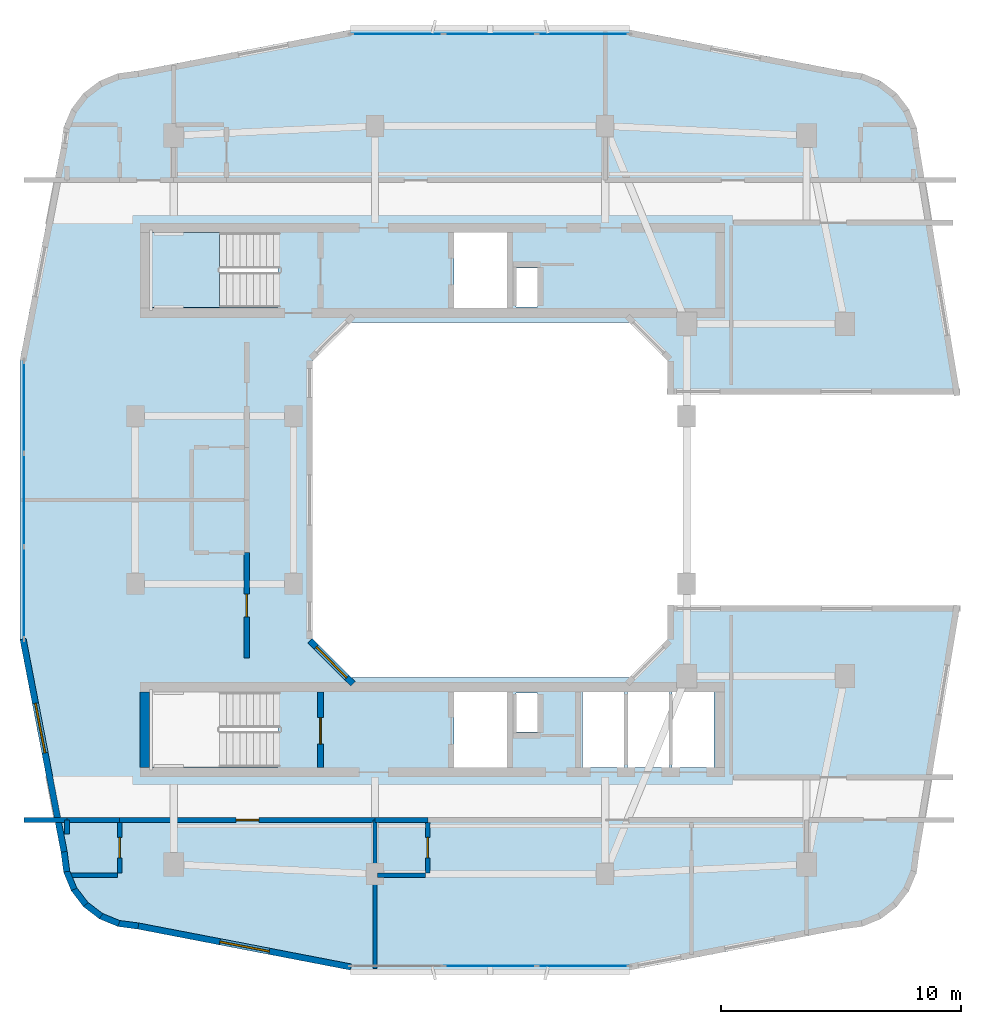
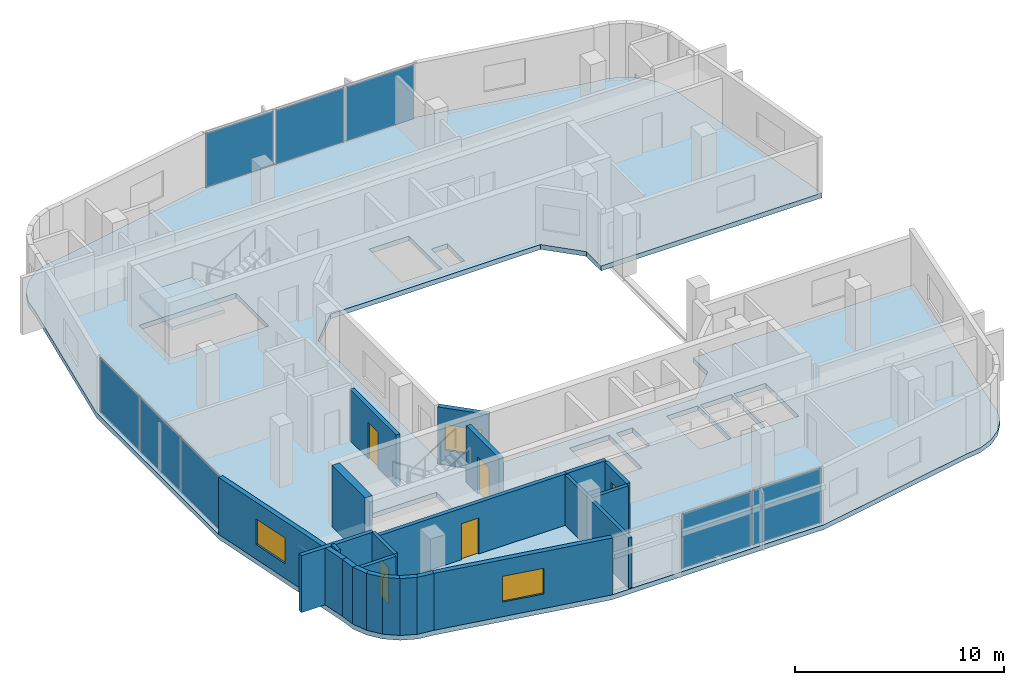
# One storey, part 4 of 12: 22 walls, 8 plates, 5 doors, 3 windows, 2 slabs, 8 openings, 4 elements without a shape of their own.
"""IFC4 building model written with IfcOpenShell, lengths in metres."""

from ifc_helpers import new_model, si_unit, derived_unit, direction, frame, frame_2d, origin, origin_2d, place, context, subcontext, project, spatial, polyline, rectangle, outline, extrude, material, layer, layer_set, type_object, element, fill, aggregate, save


model = new_model("IFC4")

# Units and contexts
model_context = context("Model", 3, precision=1e-05, world=origin(), true_north=direction((0.0, 1.0)))
body_context = subcontext(model_context, "Body", "Model", "MODEL_VIEW")
ifc_project = project(units=[si_unit("LENGTHUNIT", "METRE"), si_unit("AREAUNIT", "SQUARE_METRE"), si_unit("VOLUMEUNIT", "CUBIC_METRE"), si_unit("PLANEANGLEUNIT", "RADIAN"), si_unit("MASSUNIT", "GRAM", prefix="KILO"), derived_unit("THERMALTRANSMITTANCEUNIT", [(si_unit("POWERUNIT", "WATT"), 1), (si_unit("LENGTHUNIT", "METRE"), -2), (si_unit("THERMODYNAMICTEMPERATUREUNIT", "KELVIN"), -1)])], contexts=[model_context])

# Site, building, storey
site_placement = place(None, origin())
site = spatial("IfcSite", under=ifc_project, at=site_placement, CompositionType="ELEMENT")
building_placement = place(site_placement, origin())
building = spatial("IfcBuilding", under=site, at=building_placement, Name="Kivonza Crest Hotel", CompositionType="ELEMENT")
storey_placement = place(building_placement, frame((0.0, 0.0, 191.89990234375)))
storey = spatial("IfcBuildingStorey", under=building, at=storey_placement, Name="L52", CompositionType="ELEMENT", Elevation=191.89990234375)

# Curtain wall, plates
ifc_material_1 = material(Name="Anodised bronze aluminium and low-E double glazing", Category="aluminium")
ifc_layer_1 = layer(ifc_material_1, 0.179931640625)
ifc_layer_set_1 = layer_set([ifc_layer_1], Name="Anodised bronze aluminium and low-E double glazing")
curtain_wall_type = type_object("IfcCurtainWallType", Name="CW-SYS-3", PredefinedType="NOTDEFINED", material=ifc_layer_set_1)
curtain_wall_1_placement = place(storey_placement, origin())
curtain_wall_1 = element("IfcCurtainWall", 1, at=curtain_wall_1_placement, inside=storey, type_object=curtain_wall_type, Name="L52 unitised curtain wall CW-T1-L52-08", PredefinedType="NOTDEFINED")
ifc_material_2 = material(Name="Acoustic triple-laminated low-E glazing", Category="glass")
ifc_layer_2 = layer(ifc_material_2, 0.035888671875)
ifc_layer_set_2 = layer_set([ifc_layer_2], Name="Acoustic triple-laminated low-E glazing")
plate_type = type_object("IfcPlateType", Name="CW-PNL-36", PredefinedType="CURTAIN_PANEL", material=ifc_layer_set_2)
plate_1_placement = place(storey_placement, frame((21.0, 5.56005859375, 0.0751953125), z_axis=(0.0, 0.0, 1.0), x_axis=(1.0, 0.0, 0.0)))
plate_1 = element("IfcPlate", 2, at=plate_1_placement, type_object=plate_type, Name="CW-3 panel 2.1", PredefinedType="CURTAIN_PANEL", context=body_context, shape_type="SweptSolid", body=[
    extrude(rectangle(XDim=3.818359375, YDim=0.035888671875, at=origin_2d()), origin(), (0.0, 0.0, 1.0), 3.169921875),
])
plate_2_placement = place(storey_placement, frame((24.87451171875, 5.56005859375, 0.0751953125), z_axis=(0.0, 0.0, 1.0), x_axis=(1.0, 0.0, 0.0)))
plate_2 = element("IfcPlate", 3, at=plate_2_placement, type_object=plate_type, Name="CW-3 panel 3.1", PredefinedType="CURTAIN_PANEL", context=body_context, shape_type="SweptSolid", body=[
    extrude(rectangle(XDim=3.78076171875, YDim=0.035888671875, at=origin_2d()), origin(), (0.0, 0.0, 1.0), 3.169921875),
])
aggregate(curtain_wall_1, [plate_1, plate_2])

curtain_wall_2_placement = place(storey_placement, origin())
curtain_wall_2 = element("IfcCurtainWall", 4, at=curtain_wall_2_placement, inside=storey, type_object=curtain_wall_type, Name="L52 unitised curtain wall CW-T1-L52-36", PredefinedType="NOTDEFINED")
plate_3_placement = place(storey_placement, frame((24.87451171875, 44.43994140625, 0.0751953125), z_axis=(0.0, 0.0, 1.0), x_axis=(-1.0, 0.0, 0.0)))
plate_3 = element("IfcPlate", 5, at=plate_3_placement, type_object=plate_type, Name="CW-3 panel 1.1", PredefinedType="CURTAIN_PANEL", context=body_context, shape_type="SweptSolid", body=[
    extrude(rectangle(XDim=3.78076171875, YDim=0.035888671875, at=origin_2d()), origin(), (0.0, 0.0, 1.0), 3.169921875),
])
plate_4_placement = place(storey_placement, frame((21.0, 44.43994140625, 0.0751953125), z_axis=(0.0, 0.0, 1.0), x_axis=(-1.0, 0.0, 0.0)))
plate_4 = element("IfcPlate", 6, at=plate_4_placement, type_object=plate_type, Name="CW-3 panel 2.1", PredefinedType="CURTAIN_PANEL", context=body_context, shape_type="SweptSolid", body=[
    extrude(rectangle(XDim=3.818359375, YDim=0.035888671875, at=origin_2d()), origin(), (0.0, 0.0, 1.0), 3.169921875),
])
plate_5_placement = place(storey_placement, frame((17.12548828125, 44.43994140625, 0.0751953125), z_axis=(0.0, 0.0, 1.0), x_axis=(-1.0, 0.0, 0.0)))
plate_5 = element("IfcPlate", 7, at=plate_5_placement, type_object=plate_type, Name="CW-3 panel 3.1", PredefinedType="CURTAIN_PANEL", context=body_context, shape_type="SweptSolid", body=[
    extrude(rectangle(XDim=3.78076171875, YDim=0.035888671875, at=origin_2d()), origin(), (0.0, 0.0, 1.0), 3.169921875),
])
aggregate(curtain_wall_2, [plate_3, plate_4, plate_5])

curtain_wall_3_placement = place(storey_placement, origin())
curtain_wall_3 = element("IfcCurtainWall", 8, at=curtain_wall_3_placement, inside=storey, type_object=curtain_wall_type, Name="L52 unitised curtain wall CW-T1-L52-45", PredefinedType="NOTDEFINED")
plate_6_placement = place(storey_placement, frame((1.56005859375, 28.87451171875, 0.0751953125), z_axis=(0.0, 0.0, 1.0), x_axis=(0.0, -1.0, 0.0)))
plate_6 = element("IfcPlate", 9, at=plate_6_placement, type_object=plate_type, Name="CW-3 panel 1.1", PredefinedType="CURTAIN_PANEL", context=body_context, shape_type="SweptSolid", body=[
    extrude(rectangle(XDim=3.78076171875, YDim=0.035888671875, at=origin_2d()), origin(), (0.0, 0.0, 1.0), 3.169921875),
])
plate_7_placement = place(storey_placement, frame((1.56005859375, 25.0, 0.0751953125), z_axis=(0.0, 0.0, 1.0), x_axis=(0.0, -1.0, 0.0)))
plate_7 = element("IfcPlate", 10, at=plate_7_placement, type_object=plate_type, Name="CW-3 panel 2.1", PredefinedType="CURTAIN_PANEL", context=body_context, shape_type="SweptSolid", body=[
    extrude(rectangle(XDim=3.818359375, YDim=0.035888671875, at=origin_2d()), origin(), (0.0, 0.0, 1.0), 3.169921875),
])
plate_8_placement = place(storey_placement, frame((1.56005859375, 21.12548828125, 0.0751953125), z_axis=(0.0, 0.0, 1.0), x_axis=(0.0, -1.0, 0.0)))
plate_8 = element("IfcPlate", 11, at=plate_8_placement, type_object=plate_type, Name="CW-3 panel 3.1", PredefinedType="CURTAIN_PANEL", context=body_context, shape_type="SweptSolid", body=[
    extrude(rectangle(XDim=3.78076171875, YDim=0.035888671875, at=origin_2d()), origin(), (0.0, 0.0, 1.0), 3.169921875),
])
aggregate(curtain_wall_3, [plate_6, plate_7, plate_8])

# Slab
ifc_material_3 = material(Name="Concrete C40/50", Category="concrete")
ifc_layer_3 = layer(ifc_material_3, 0.280029296875)
ifc_layer_set_3 = layer_set([ifc_layer_3], Name="Concrete C40/50")
slab_type_1 = type_object("IfcSlabType", Name="SL-HTL-280", PredefinedType="FLOOR", material=ifc_layer_set_3)
slab_1_placement = place(storey_placement, frame((0.0, 0.0, -0.27978515625)))
element("IfcSlab", 12, at=slab_1_placement, inside=storey, type_object=slab_type_1, Name="Tower T1 L52 floor slab", PredefinedType="FLOOR", context=body_context, shape_type="SweptSolid", body=[
    extrude(outline(polyline([(3.10009765625, 10.300048828125), (3.208984375, 9.471923828125), (3.529052734375, 8.699951171875), (4.037109375, 8.037109375), (4.699951171875, 7.529052734375), (5.471923828125, 7.208984375), (6.300048828125, 7.10009765625), (15.1201171875, 5.39990234375), (26.8798828125, 5.39990234375), (35.699951171875, 7.10009765625), (36.528076171875, 7.208984375), (37.300048828125, 7.529052734375), (37.962890625, 8.037109375), (38.470947265625, 8.699951171875), (38.791015625, 9.471923828125), (38.89990234375, 10.300048828125), (40.60009765625, 20.60009765625), (28.39990234375, 20.60009765625), (28.39990234375, 19.199951171875), (26.800048828125, 17.60009765625), (15.199951171875, 17.60009765625), (13.60009765625, 19.199951171875), (13.60009765625, 30.800048828125), (15.199951171875, 32.39990234375), (26.800048828125, 32.39990234375), (28.39990234375, 30.800048828125), (28.39990234375, 29.39990234375), (40.60009765625, 29.39990234375), (38.89990234375, 39.699951171875), (38.791015625, 40.528076171875), (38.470947265625, 41.300048828125), (37.962890625, 41.962890625), (37.300048828125, 42.470947265625), (36.528076171875, 42.791015625), (35.699951171875, 42.89990234375), (26.8798828125, 44.60009765625), (15.1201171875, 44.60009765625), (6.300048828125, 42.89990234375), (5.471923828125, 42.791015625), (4.699951171875, 42.470947265625), (4.037109375, 41.962890625), (3.529052734375, 41.300048828125), (3.208984375, 40.528076171875), (3.10009765625, 39.699951171875), (1.39990234375, 30.8798828125), (1.39990234375, 19.1201171875), (3.10009765625, 10.300048828125)]), holes=[polyline([(6.800048828125, 33.02001953125), (12.159912109375, 33.02001953125), (12.159912109375, 36.159912109375), (6.800048828125, 36.159912109375), (6.800048828125, 33.02001953125)]), polyline([(6.800048828125, 13.860107421875), (12.159912109375, 13.860107421875), (12.159912109375, 17.0), (6.800048828125, 17.0), (6.800048828125, 13.860107421875)]), polyline([(22.080078125, 33.0400390625), (22.969970703125, 33.0400390625), (22.969970703125, 34.679931640625), (22.080078125, 34.679931640625), (22.080078125, 33.0400390625)]), polyline([(22.080078125, 15.320068359375), (22.969970703125, 15.320068359375), (22.969970703125, 16.9599609375), (22.080078125, 16.9599609375), (22.080078125, 15.320068359375)]), polyline([(19.5, 33.0), (21.699951171875, 33.0), (21.699951171875, 36.159912109375), (19.5, 36.159912109375), (19.5, 33.0)]), polyline([(19.5, 13.840087890625), (21.699951171875, 13.840087890625), (21.699951171875, 17.0), (19.5, 17.0), (19.5, 13.840087890625)]), polyline([(24.860107421875, 13.840087890625), (26.60693359375, 13.840087890625), (26.60693359375, 17.0), (24.860107421875, 17.0), (24.860107421875, 13.840087890625)]), polyline([(26.72705078125, 13.840087890625), (28.472900390625, 13.840087890625), (28.472900390625, 17.0), (26.72705078125, 17.0), (26.72705078125, 13.840087890625)]), polyline([(28.593017578125, 13.840087890625), (30.340087890625, 13.840087890625), (30.340087890625, 17.0), (28.593017578125, 17.0), (28.593017578125, 13.840087890625)])]), origin(), (0.0, 0.0, 1.0), 0.27978515625),
])

# Stair, slab
stair_type = type_object("IfcStairType", Name="ST-DL-20R", PredefinedType="HALF_TURN_STAIR", material=ifc_material_3)
stair_placement = place(storey_placement, origin())
stair = element("IfcStair", 13, at=stair_placement, inside=storey, type_object=stair_type, Name="L52 Protected Exit Stair ST-T1-N", PredefinedType="HALF_TURN_STAIR")
ifc_layer_4 = layer(ifc_material_3, 0.199951171875)
ifc_layer_set_4 = layer_set([ifc_layer_4], Name="Concrete C40/50")
slab_type_2 = type_object("IfcSlabType", Name="SL-LAND-200", PredefinedType="LANDING", material=ifc_layer_set_4)
slab_2_placement = place(storey_placement, frame((0.0, 0.0, 1.60009765625)))
slab_2 = element("IfcSlab", 14, at=slab_2_placement, type_object=slab_type_2, Name="ST-T1-N landing 1", PredefinedType="LANDING", context=body_context, shape_type="SweptSolid", body=[
    extrude(outline(polyline([(9.719970703125, 36.159912109375), (6.800048828125, 36.159912109375), (6.800048828125, 33.02001953125), (9.719970703125, 33.02001953125), (9.719970703125, 36.159912109375)])), origin(), (0.0, 0.0, 1.0), 0.199951171875),
])
aggregate(stair, [slab_2])

# Walls
ifc_material_4 = material(Name="High-density acoustic masonry inter-tenancy wall", Category="masonry")
ifc_layer_5 = layer(ifc_material_4, 0.179931640625)
ifc_layer_set_5 = layer_set([ifc_layer_5], Name="High-density acoustic masonry inter-tenancy wall")
wall_type_1 = type_object("IfcWallType", Name="WL-ACOU-180", PredefinedType="SOLIDWALL", material=ifc_layer_set_5)
wall_1_placement = place(storey_placement, frame((16.199951171875, 5.4599609375, 0.0), z_axis=(0.0, 0.0, 1.0), x_axis=(0.0, 1.0, 0.0)))
element("IfcWall", 15, at=wall_1_placement, inside=storey, type_object=wall_type_1, Name="L52 interior partition WA-L52-T1S-DIV1", PredefinedType="SOLIDWALL", context=body_context, shape_type="SweptSolid", body=[
    extrude(rectangle(XDim=6.18994140625, YDim=0.179931640625, at=frame_2d((3.094970703125, 0.0))), origin(), (0.0, 0.0, 1.0), 2.93505859375),
])
ifc_material_5 = material(Name="Autoclaved aerated concrete blockwork", Category="masonry")
ifc_layer_6 = layer(ifc_material_5, 0.219970703125)
ifc_layer_set_6 = layer_set([ifc_layer_6], Name="Autoclaved aerated concrete blockwork")
wall_type_2 = type_object("IfcWallType", Name="WL-ACOU-220", PredefinedType="SOLIDWALL", material=ifc_layer_set_6)
wall_2_placement = place(storey_placement, frame((1.56005859375, 11.64990234375, 0.0), z_axis=(0.0, 0.0, 1.0), x_axis=(1.0, 0.0, 0.0)))
element("IfcWall", 16, at=wall_2_placement, inside=storey, type_object=wall_type_2, Name="L52 interior partition WA-L52-S04-XCORR", PredefinedType="SOLIDWALL", context=body_context, shape_type="SweptSolid", body=[
    extrude(rectangle(XDim=1.7900390625, YDim=0.219970703125, at=frame_2d((0.89501953125, 0.0))), origin(), (0.0, 0.0, 1.0), 3.320068359375),
])
wall_3_placement = place(storey_placement, frame((3.35009765625, 11.64990234375, 0.0), z_axis=(0.0, 0.0, 1.0), x_axis=(1.0, 0.0, 0.0)))
element("IfcWall", 17, at=wall_3_placement, inside=storey, type_object=wall_type_2, Name="L52 interior partition WA-L52-S04-BCORR", PredefinedType="SOLIDWALL", context=body_context, shape_type="SweptSolid", body=[
    extrude(rectangle(XDim=2.199951171875, YDim=0.219970703125, at=frame_2d((1.10009765625, 0.0))), origin(), (0.0, 0.0, 1.0), 3.320068359375),
])

# Wall, opening, door
wall_4_placement = place(storey_placement, frame((5.550048828125, 11.64990234375, 0.0), z_axis=(0.0, 0.0, 1.0), x_axis=(1.0, 0.0, 0.0)))
wall_4 = element("IfcWall", 18, at=wall_4_placement, inside=storey, type_object=wall_type_2, Name="L52 interior partition WA-L52-S04-MCORR", PredefinedType="SOLIDWALL", context=body_context, shape_type="SweptSolid", body=[
    extrude(rectangle(XDim=10.64990234375, YDim=0.219970703125, at=frame_2d((5.324951171875, 0.0))), origin(), (0.0, 0.0, 1.0), 2.9951171875),
])
opening_1_placement = place(wall_4_placement, frame((4.85009765625, 0.0, 0.0)))
opening_1 = element("IfcOpeningElement", 19, at=opening_1_placement, cuts=wall_4, Name="Opening DU-60", PredefinedType="OPENING", context=body_context, shape_type="SweptSolid", body=[
    extrude(rectangle(XDim=0.949951171875, YDim=2.10009765625, at=frame_2d((0.47509765625, 1.050048828125))), frame((0.0, 0.1201171875, 0.0), z_axis=(0.0, -1.0, 0.0), x_axis=(1.0, 0.0, 0.0)), (0.0, 0.0, 1.0), 0.239990234375),
])
ifc_material_6 = material(Name="Hardwood timber oak", Category="wood")
door_type_1 = type_object("IfcDoorType", Name="DR-UNIT-950", OperationType="NOTDEFINED", PredefinedType="DOOR", material=ifc_material_6)
door_1_placement = place(opening_1_placement, frame((0.949951171875, 0.0, 0.0), z_axis=(0.0, 0.0, 1.0), x_axis=(-1.0, 0.0, 0.0)))
door_1 = element("IfcDoor", 20, at=door_1_placement, inside=storey, type_object=door_type_1, Name="L52 S04 guest unit entrance fire door", OperationType="SINGLE_SWING_RIGHT", OverallHeight=2.10009765625, OverallWidth=0.949951171875, PredefinedType="DOOR", context=body_context, shape_type="SweptSolid", body=[
    extrude(rectangle(XDim=0.949951171875, YDim=2.10009765625, at=frame_2d((0.47509765625, 1.050048828125))), frame((0.0, 0.02490234375, 0.0), z_axis=(0.0, -1.0, 0.0), x_axis=(1.0, 0.0, 0.0)), (0.0, 0.0, 1.0), 0.050048828125),
])
fill(opening_1, door_1)

# Wall
wall_5_placement = place(storey_placement, frame((16.199951171875, 11.64990234375, 0.0), z_axis=(0.0, 0.0, 1.0), x_axis=(1.0, 0.0, 0.0)))
element("IfcWall", 21, at=wall_5_placement, inside=storey, type_object=wall_type_2, Name="L52 interior partition WA-L52-S05-BCORR", PredefinedType="SOLIDWALL", context=body_context, shape_type="SweptSolid", body=[
    extrude(rectangle(XDim=2.199951171875, YDim=0.219970703125, at=frame_2d((1.10009765625, 0.0))), origin(), (0.0, 0.0, 1.0), 2.9951171875),
])

# Wall, opening, door
wall_6_placement = place(storey_placement, frame((10.85009765625, 18.39990234375, 0.0), z_axis=(0.0, 0.0, 1.0), x_axis=(0.0, 1.0, 0.0)))
wall_6 = element("IfcWall", 22, at=wall_6_placement, inside=storey, type_object=wall_type_2, Name="L52 interior partition WA-L52-W06-MCORR", PredefinedType="SOLIDWALL", context=body_context, shape_type="SweptSolid", body=[
    extrude(rectangle(XDim=4.400146484375, YDim=0.219970703125, at=frame_2d((2.2001953125, 0.0))), origin(), (0.0, 0.0, 1.0), 2.9951171875),
])
opening_2_placement = place(wall_6_placement, frame((1.72509765625, 0.0, 0.0)))
opening_2 = element("IfcOpeningElement", 23, at=opening_2_placement, cuts=wall_6, Name="Opening DU-60", PredefinedType="OPENING", context=body_context, shape_type="SweptSolid", body=[
    extrude(rectangle(XDim=0.949951171875, YDim=2.10009765625, at=frame_2d((0.47509765625, 1.050048828125))), frame((0.0, 0.1201171875, 0.0), z_axis=(0.0, -1.0, 0.0), x_axis=(1.0, 0.0, 0.0)), (0.0, 0.0, 1.0), 0.239990234375),
])
door_2_placement = place(opening_2_placement, origin())
door_2 = element("IfcDoor", 24, at=door_2_placement, inside=storey, type_object=door_type_1, Name="L52 W06 guest unit entrance fire door", OperationType="SINGLE_SWING_RIGHT", OverallHeight=2.10009765625, OverallWidth=0.949951171875, PredefinedType="DOOR", context=body_context, shape_type="SweptSolid", body=[
    extrude(rectangle(XDim=0.949951171875, YDim=2.10009765625, at=frame_2d((0.47509765625, 1.050048828125))), frame((0.0, 0.02490234375, 0.0), z_axis=(0.0, -1.0, 0.0), x_axis=(1.0, 0.0, 0.0)), (0.0, 0.0, 1.0), 0.050048828125),
])
fill(opening_2, door_2)

# Walls
ifc_material_7 = material(Name="Concrete C50/60", Category="concrete")
ifc_layer_7 = layer(ifc_material_7, 0.39990234375)
ifc_layer_set_7 = layer_set([ifc_layer_7], Name="Concrete C50/60")
wall_type_3 = type_object("IfcWallType", Name="WL-CORE-400", PredefinedType="SHEAR", material=ifc_layer_set_7)
wall_7_placement = place(storey_placement, frame((6.60009765625, 13.840087890625, 0.0), z_axis=(0.0, 0.0, 1.0), x_axis=(0.0, 1.0, 0.0)))
element("IfcWall", 25, at=wall_7_placement, inside=storey, type_object=wall_type_3, Name="Core wall T1-S West L52", PredefinedType="SHEAR", context=body_context, shape_type="SweptSolid", body=[
    extrude(rectangle(XDim=3.159912109375, YDim=0.39990234375, at=frame_2d((1.580078125, 0.0))), origin(), (0.0, 0.0, 1.0), 3.60009765625),
])
ifc_material_8 = material(Name="Precast concrete C40/50", Category="concrete")
ifc_layer_8 = layer(ifc_material_8, 0.260009765625)
ifc_layer_set_8 = layer_set([ifc_layer_8], Name="Precast concrete C40/50")
wall_type_4 = type_object("IfcWallType", Name="WL-EXT-260", PredefinedType="STANDARD", material=ifc_layer_set_8)
wall_8_placement = place(storey_placement, frame((3.22802734375, 10.324951171875, 0.0), z_axis=(0.0, 0.0, 1.0), x_axis=(0.130704676564, -0.99142134712, 0.0)))
element("IfcWall", 26, at=wall_8_placement, inside=storey, type_object=wall_type_4, Name="L52 T1 exterior insulated wall 1", PredefinedType="STANDARD", context=body_context, shape_type="SweptSolid", body=[
    extrude(rectangle(XDim=0.8330078125, YDim=0.260009765625, at=frame_2d((0.41650390625, 0.0))), origin(), (0.0, 0.0, 1.0), 3.320068359375),
])
wall_9_placement = place(storey_placement, frame((3.319091796875, 9.544921875, 0.0), z_axis=(0.0, 0.0, 1.0), x_axis=(0.383086687796, -0.923712395518, 0.0)))
element("IfcWall", 27, at=wall_9_placement, inside=storey, type_object=wall_type_4, Name="L52 T1 exterior insulated wall 2", PredefinedType="STANDARD", context=body_context, shape_type="SweptSolid", body=[
    extrude(rectangle(XDim=0.850830078125, YDim=0.260009765625, at=frame_2d((0.42529296875, 0.0))), origin(), (0.0, 0.0, 1.0), 3.320068359375),
])
for number, where, z_axis, x_axis, name in (
    (28, (3.616943359375, 8.799072265625, 0.0), (0.0, 0.0, 1.0), (0.608099977432, -0.793860452124, 0.0), "L52 T1 exterior insulated wall 3"),
    (29, (4.095947265625, 8.155029296875, 0.0), (0.0, 0.0, 1.0), (0.793860452124, -0.608099977432, 0.0), "L52 T1 exterior insulated wall 4"),
):
    element("IfcWall", number, at=place(storey_placement, frame(where, z_axis=z_axis, x_axis=x_axis)), inside=storey, type_object=wall_type_4, Name=name, PredefinedType="STANDARD", context=body_context, shape_type="SweptSolid", body=[
        extrude(rectangle(XDim=0.850341796875, YDim=0.260009765625, at=frame_2d((0.42529296875, 0.0))), origin(), (0.0, 0.0, 1.0), 3.320068359375),
    ])
wall_10_placement = place(storey_placement, frame((4.72705078125, 7.658935546875, 0.0), z_axis=(0.0, 0.0, 1.0), x_axis=(0.923712395518, -0.383086687796, 0.0)))
element("IfcWall", 30, at=wall_10_placement, inside=storey, type_object=wall_type_4, Name="L52 T1 exterior insulated wall 5", PredefinedType="STANDARD", context=body_context, shape_type="SweptSolid", body=[
    extrude(rectangle(XDim=0.850830078125, YDim=0.260009765625, at=frame_2d((0.42529296875, 0.0))), origin(), (0.0, 0.0, 1.0), 3.320068359375),
])
wall_11_placement = place(storey_placement, frame((5.464111328125, 7.341064453125, 0.0), z_axis=(0.0, 0.0, 1.0), x_axis=(0.991488716273, -0.130192647656, 0.0)))
element("IfcWall", 31, at=wall_11_placement, inside=storey, type_object=wall_type_4, Name="L52 T1 exterior insulated wall 6", PredefinedType="STANDARD", context=body_context, shape_type="SweptSolid", body=[
    extrude(rectangle(XDim=0.8681640625, YDim=0.260009765625, at=frame_2d((0.43408203125, 0.0))), origin(), (0.0, 0.0, 1.0), 3.320068359375),
])

# Wall, opening, window
wall_12_placement = place(storey_placement, frame((6.31689453125, 7.22998046875, 0.0), z_axis=(0.0, 0.0, 1.0), x_axis=(0.98192801022, -0.189254809039, 0.0)))
wall_12 = element("IfcWall", 32, at=wall_12_placement, inside=storey, type_object=wall_type_4, Name="L52 T1 exterior insulated wall 7", PredefinedType="STANDARD", context=body_context, shape_type="SweptSolid", body=[
    extrude(rectangle(XDim=9.045654296875, YDim=0.260009765625, at=frame_2d((4.52294921875, 0.0))), origin(), (0.0, 0.0, 1.0), 3.320068359375),
])
opening_3_placement = place(wall_12_placement, frame((3.472900390625, 0.0, 0.85009765625)))
opening_3 = element("IfcOpeningElement", 33, at=opening_3_placement, cuts=wall_12, Name="Opening WN-04", PredefinedType="OPENING", context=body_context, shape_type="SweptSolid", body=[
    extrude(rectangle(XDim=2.10009765625, YDim=1.5, at=frame_2d((1.050048828125, 0.75))), frame((0.0, 0.14013671875, 0.0), z_axis=(0.0, -1.0, 0.0), x_axis=(1.0, 0.0, 0.0)), (0.0, 0.0, 1.0), 0.280029296875),
])
ifc_material_9 = material(Name="Thermally broken bronze aluminium and low-E double glazing", Category="aluminium")
window_type_1 = type_object("IfcWindowType", Name="WN-210x150", PartitioningType="DOUBLE_PANEL_VERTICAL", PredefinedType="WINDOW", material=ifc_material_9)
window_1_placement = place(opening_3_placement, origin())
window_1 = element("IfcWindow", 34, at=window_1_placement, inside=storey, type_object=window_type_1, Name="L52 T1 facade window 7", OverallHeight=1.5, OverallWidth=2.10009765625, PartitioningType="SINGLE_PANEL", PredefinedType="WINDOW", context=body_context, shape_type="SweptSolid", body=[
    extrude(rectangle(XDim=2.10009765625, YDim=1.5, at=frame_2d((1.050048828125, 0.75))), frame((0.0, 0.030029296875, 0.0), z_axis=(0.0, -1.0, 0.0), x_axis=(1.0, 0.0, 0.0)), (0.0, 0.0, 1.0), 0.06005859375),
])
fill(opening_3, window_1)

wall_13_placement = place(storey_placement, frame((15.278076171875, 17.337890625, 0.0), z_axis=(0.0, 0.0, 1.0), x_axis=(-0.707106781187, 0.707106781187, 0.0)))
wall_13 = element("IfcWall", 35, at=wall_13_placement, inside=storey, type_object=wall_type_4, Name="L52 T1 exterior insulated wall 21", PredefinedType="STANDARD", context=body_context, shape_type="SweptSolid", body=[
    extrude(rectangle(XDim=2.52880859375, YDim=0.260009765625, at=frame_2d((1.264404296875, 0.0))), origin(), (0.0, 0.0, 1.0), 3.320068359375),
])
opening_4_placement = place(wall_13_placement, frame((0.364013671875, 0.0, 0.85009765625)))
opening_4 = element("IfcOpeningElement", 36, at=opening_4_placement, cuts=wall_13, Name="Opening WN-03", PredefinedType="OPENING", context=body_context, shape_type="SweptSolid", body=[
    extrude(rectangle(XDim=1.800048828125, YDim=1.5, at=frame_2d((0.89990234375, 0.75))), frame((0.0, 0.14013671875, 0.0), z_axis=(0.0, -1.0, 0.0), x_axis=(1.0, 0.0, 0.0)), (0.0, 0.0, 1.0), 0.280029296875),
])
window_type_2 = type_object("IfcWindowType", Name="WN-180x150", PartitioningType="DOUBLE_PANEL_VERTICAL", PredefinedType="WINDOW", material=ifc_material_9)
window_2_placement = place(opening_4_placement, origin())
window_2 = element("IfcWindow", 37, at=window_2_placement, inside=storey, type_object=window_type_2, Name="L52 T1 facade window 21", OverallHeight=1.5, OverallWidth=1.800048828125, PartitioningType="SINGLE_PANEL", PredefinedType="WINDOW", context=body_context, shape_type="SweptSolid", body=[
    extrude(rectangle(XDim=1.800048828125, YDim=1.5, at=frame_2d((0.89990234375, 0.75))), frame((0.0, 0.030029296875, 0.0), z_axis=(0.0, -1.0, 0.0), x_axis=(1.0, 0.0, 0.0)), (0.0, 0.0, 1.0), 0.06005859375),
])
fill(opening_4, window_2)

wall_14_placement = place(storey_placement, frame((1.51806640625, 19.198974609375, 0.0), z_axis=(0.0, 0.0, 1.0), x_axis=(0.189254809039, -0.98192801022, 0.0)))
wall_14 = element("IfcWall", 38, at=wall_14_placement, inside=storey, type_object=wall_type_4, Name="L52 T1 exterior insulated wall 46", PredefinedType="STANDARD", context=body_context, shape_type="SweptSolid", body=[
    extrude(rectangle(XDim=9.045654296875, YDim=0.260009765625, at=frame_2d((4.52294921875, 0.0))), origin(), (0.0, 0.0, 1.0), 3.320068359375),
])
opening_5_placement = place(wall_14_placement, frame((2.73291015625, 0.0, 0.85009765625)))
opening_5 = element("IfcOpeningElement", 39, at=opening_5_placement, cuts=wall_14, Name="Opening WN-04", PredefinedType="OPENING", context=body_context, shape_type="SweptSolid", body=[
    extrude(rectangle(XDim=2.10009765625, YDim=1.5, at=frame_2d((1.050048828125, 0.75))), frame((0.0, 0.14013671875, 0.0), z_axis=(0.0, -1.0, 0.0), x_axis=(1.0, 0.0, 0.0)), (0.0, 0.0, 1.0), 0.280029296875),
])
window_3_placement = place(opening_5_placement, origin())
window_3 = element("IfcWindow", 40, at=window_3_placement, inside=storey, type_object=window_type_1, Name="L52 T1 facade window 46", OverallHeight=1.5, OverallWidth=2.10009765625, PartitioningType="SINGLE_PANEL", PredefinedType="WINDOW", context=body_context, shape_type="SweptSolid", body=[
    extrude(rectangle(XDim=2.10009765625, YDim=1.5, at=frame_2d((1.050048828125, 0.75))), frame((0.0, 0.030029296875, 0.0), z_axis=(0.0, -1.0, 0.0), x_axis=(1.0, 0.0, 0.0)), (0.0, 0.0, 1.0), 0.06005859375),
])
fill(opening_5, window_3)

# Wall, opening, door
ifc_material_10 = material(Name="Moisture-resistant plumbing chase partition wall", Category="gypsum")
ifc_layer_9 = layer(ifc_material_10, 0.199951171875)
ifc_layer_set_9 = layer_set([ifc_layer_9], Name="Moisture-resistant plumbing chase partition wall")
wall_type_5 = type_object("IfcWallType", Name="WL-PLUMB-200", PredefinedType="PLUMBINGWALL", material=ifc_layer_set_9)
wall_15_placement = place(storey_placement, frame((5.550048828125, 9.449951171875, 0.0), z_axis=(0.0, 0.0, 1.0), x_axis=(0.0, 1.0, 0.0)))
wall_15 = element("IfcWall", 41, at=wall_15_placement, inside=storey, type_object=wall_type_5, Name="L52 interior partition WW-L52-S04-BV", PredefinedType="PLUMBINGWALL", context=body_context, shape_type="SweptSolid", body=[
    extrude(rectangle(XDim=2.10009765625, YDim=0.199951171875, at=frame_2d((1.050048828125, 0.0))), origin(), (0.0, 0.0, 1.0), 3.320068359375),
])
opening_6_placement = place(wall_15_placement, frame((0.625, 0.0, 0.0)))
opening_6 = element("IfcOpeningElement", 42, at=opening_6_placement, cuts=wall_15, Name="Opening DI-85", PredefinedType="OPENING", context=body_context, shape_type="SweptSolid", body=[
    extrude(rectangle(XDim=0.85009765625, YDim=2.10009765625, at=frame_2d((0.425048828125, 1.050048828125))), frame((0.0, 0.10986328125, 0.0), z_axis=(0.0, -1.0, 0.0), x_axis=(1.0, 0.0, 0.0)), (0.0, 0.0, 1.0), 0.219970703125),
])
door_type_2 = type_object("IfcDoorType", Name="DR-INT-850", OperationType="NOTDEFINED", PredefinedType="DOOR", material=ifc_material_6)
door_3_placement = place(opening_6_placement, frame((0.85009765625, 0.0, 0.0), z_axis=(0.0, 0.0, 1.0), x_axis=(-1.0, 0.0, 0.0)))
door_3 = element("IfcDoor", 43, at=door_3_placement, inside=storey, type_object=door_type_2, Name="L52 S04 en-suite bathroom door", OperationType="SINGLE_SWING_LEFT", OverallHeight=2.10009765625, OverallWidth=0.85009765625, PredefinedType="DOOR", context=body_context, shape_type="SweptSolid", body=[
    extrude(rectangle(XDim=0.85009765625, YDim=2.10009765625, at=frame_2d((0.425048828125, 1.050048828125))), frame((0.0, 0.02490234375, 0.0), z_axis=(0.0, -1.0, 0.0), x_axis=(1.0, 0.0, 0.0)), (0.0, 0.0, 1.0), 0.050048828125),
])
fill(opening_6, door_3)

# Walls
wall_16_placement = place(storey_placement, frame((3.449951171875, 9.35009765625, 0.0), z_axis=(0.0, 0.0, 1.0), x_axis=(1.0, 0.0, 0.0)))
element("IfcWall", 44, at=wall_16_placement, inside=storey, type_object=wall_type_5, Name="L52 interior partition WW-L52-S04-BH", PredefinedType="PLUMBINGWALL", context=body_context, shape_type="SweptSolid", body=[
    extrude(rectangle(XDim=2.0, YDim=0.199951171875, at=frame_2d((1.0, 0.0))), origin(), (0.0, 0.0, 1.0), 3.320068359375),
])
wall_17_placement = place(storey_placement, frame((3.35009765625, 11.072998046875, 0.0), z_axis=(0.0, 0.0, 1.0), x_axis=(0.0, 1.0, 0.0)))
element("IfcWall", 45, at=wall_17_placement, inside=storey, type_object=wall_type_5, Name="L52 interior partition WW-L52-S04-BVW", PredefinedType="PLUMBINGWALL", context=body_context, shape_type="SweptSolid", body=[
    extrude(rectangle(XDim=0.576904296875, YDim=0.199951171875, at=frame_2d((0.28857421875, 0.0))), origin(), (0.0, 0.0, 1.0), 3.320068359375),
])

# Wall, opening, door
wall_18_placement = place(storey_placement, frame((18.39990234375, 9.449951171875, 0.0), z_axis=(0.0, 0.0, 1.0), x_axis=(0.0, 1.0, 0.0)))
wall_18 = element("IfcWall", 46, at=wall_18_placement, inside=storey, type_object=wall_type_5, Name="L52 interior partition WW-L52-S05-BV", PredefinedType="PLUMBINGWALL", context=body_context, shape_type="SweptSolid", body=[
    extrude(rectangle(XDim=2.10009765625, YDim=0.199951171875, at=frame_2d((1.050048828125, 0.0))), origin(), (0.0, 0.0, 1.0), 2.93505859375),
])
opening_7_placement = place(wall_18_placement, frame((0.625, 0.0, 0.0)))
opening_7 = element("IfcOpeningElement", 47, at=opening_7_placement, cuts=wall_18, Name="Opening DI-85", PredefinedType="OPENING", context=body_context, shape_type="SweptSolid", body=[
    extrude(rectangle(XDim=0.85009765625, YDim=2.10009765625, at=frame_2d((0.425048828125, 1.050048828125))), frame((0.0, 0.10986328125, 0.0), z_axis=(0.0, -1.0, 0.0), x_axis=(1.0, 0.0, 0.0)), (0.0, 0.0, 1.0), 0.219970703125),
])
door_4_placement = place(opening_7_placement, frame((0.85009765625, 0.0, 0.0), z_axis=(0.0, 0.0, 1.0), x_axis=(-1.0, 0.0, 0.0)))
door_4 = element("IfcDoor", 48, at=door_4_placement, inside=storey, type_object=door_type_2, Name="L52 S05 en-suite bathroom door", OperationType="SINGLE_SWING_RIGHT", OverallHeight=2.10009765625, OverallWidth=0.85009765625, PredefinedType="DOOR", context=body_context, shape_type="SweptSolid", body=[
    extrude(rectangle(XDim=0.85009765625, YDim=2.10009765625, at=frame_2d((0.425048828125, 1.050048828125))), frame((0.0, 0.02490234375, 0.0), z_axis=(0.0, -1.0, 0.0), x_axis=(1.0, 0.0, 0.0)), (0.0, 0.0, 1.0), 0.050048828125),
])
fill(opening_7, door_4)

# Wall
wall_19_placement = place(storey_placement, frame((16.300048828125, 9.35009765625, 0.0), z_axis=(0.0, 0.0, 1.0), x_axis=(1.0, 0.0, 0.0)))
element("IfcWall", 49, at=wall_19_placement, inside=storey, type_object=wall_type_5, Name="L52 interior partition WW-L52-S05-BH", PredefinedType="PLUMBINGWALL", context=body_context, shape_type="SweptSolid", body=[
    extrude(rectangle(XDim=2.0, YDim=0.199951171875, at=frame_2d((1.0, 0.0))), origin(), (0.0, 0.0, 1.0), 2.93505859375),
])

# Wall, opening, door
ifc_layer_10 = layer(ifc_material_7, 0.25)
ifc_layer_set_10 = layer_set([ifc_layer_10], Name="Concrete C50/60")
wall_type_6 = type_object("IfcWallType", Name="WL-SHAFT-250", PredefinedType="STANDARD", material=ifc_layer_set_10)
wall_20_placement = place(storey_placement, frame((13.925048828125, 13.840087890625, 0.0), z_axis=(0.0, 0.0, 1.0), x_axis=(0.0, 1.0, 0.0)))
wall_20 = element("IfcWall", 50, at=wall_20_placement, inside=storey, type_object=wall_type_6, Name="Core shaft wall T1-S STAIR L52", PredefinedType="STANDARD", context=body_context, shape_type="SweptSolid", body=[
    extrude(rectangle(XDim=3.159912109375, YDim=0.25, at=frame_2d((1.580078125, 0.0))), origin(), (0.0, 0.0, 1.0), 3.320068359375),
])
opening_8_placement = place(wall_20_placement, frame((0.97998046875, 0.0, 0.0)))
opening_8 = element("IfcOpeningElement", 51, at=opening_8_placement, cuts=wall_20, Name="Opening DF-120", PredefinedType="OPENING", context=body_context, shape_type="SweptSolid", body=[
    extrude(rectangle(XDim=1.10009765625, YDim=2.14990234375, at=frame_2d((0.550048828125, 1.074951171875))), frame((0.0, 0.135009765625, 0.0), z_axis=(0.0, -1.0, 0.0), x_axis=(1.0, 0.0, 0.0)), (0.0, 0.0, 1.0), 0.27001953125),
])
ifc_material_11 = material(Name="Galvanised steel", Category="steel")
door_type_3 = type_object("IfcDoorType", Name="DR-FD120-1100", OperationType="NOTDEFINED", PredefinedType="DOOR", material=ifc_material_11)
door_5_placement = place(opening_8_placement, frame((1.10009765625, 0.0, 0.0), z_axis=(0.0, 0.0, 1.0), x_axis=(-1.0, 0.0, 0.0)))
door_5 = element("IfcDoor", 52, at=door_5_placement, inside=storey, type_object=door_type_3, Name="L52 T1-S stair fire door", OperationType="SINGLE_SWING_RIGHT", OverallHeight=2.14990234375, OverallWidth=1.10009765625, PredefinedType="DOOR", context=body_context, shape_type="SweptSolid", body=[
    extrude(rectangle(XDim=1.10009765625, YDim=2.14990234375, at=frame_2d((0.550048828125, 1.074951171875))), frame((0.0, 0.02490234375, 0.0), z_axis=(0.0, -1.0, 0.0), x_axis=(1.0, 0.0, 0.0)), (0.0, 0.0, 1.0), 0.050048828125),
])
fill(opening_8, door_5)

save(model, "model.ifc")
